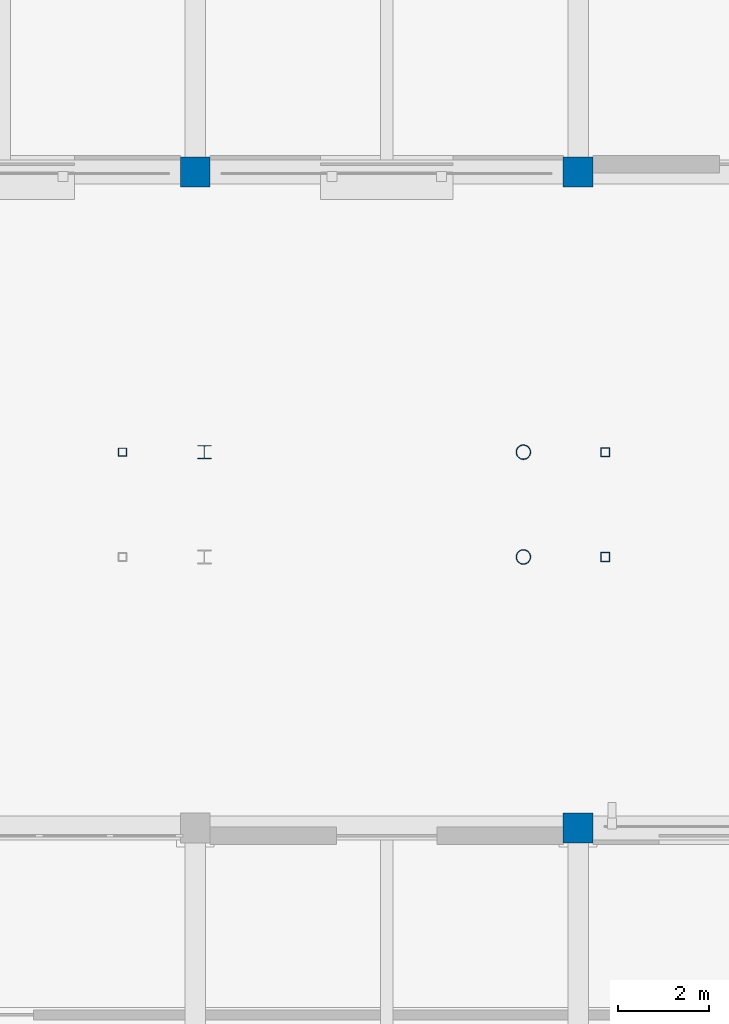
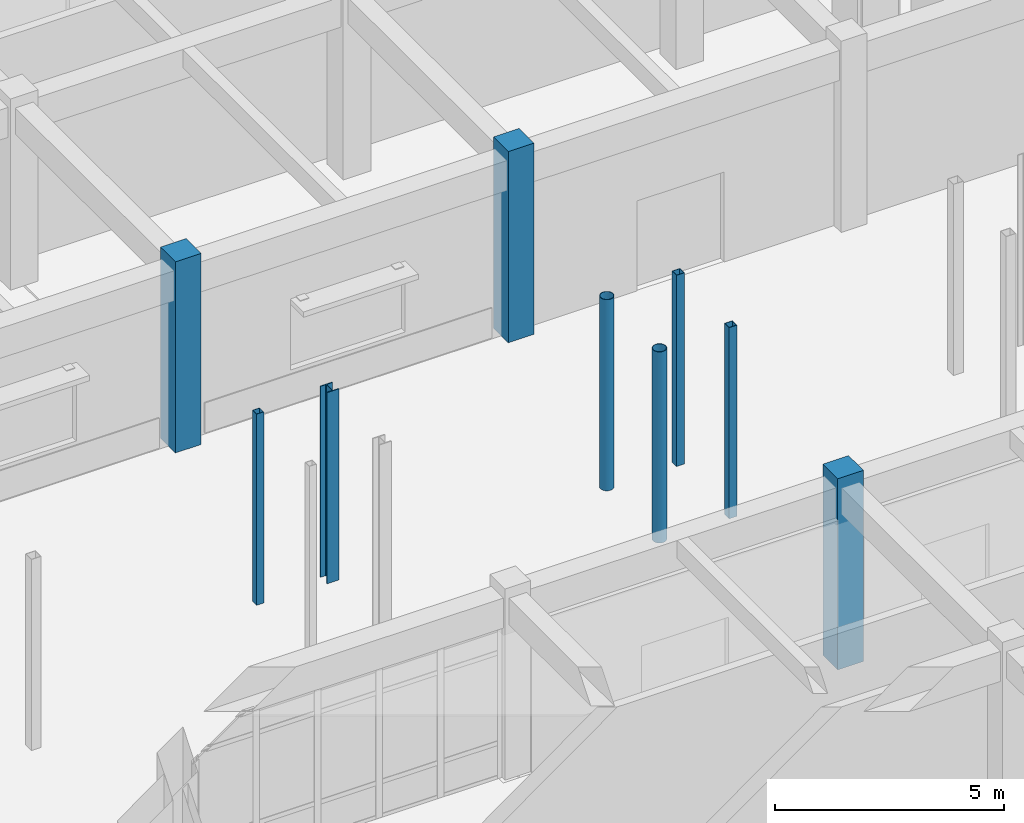
# One storey, part 13 of 121: 9 columns.
"""IFC4 building model written with IfcOpenShell, lengths in metres."""

import ifcopenshell
import ifcopenshell.guid

model = None  # the IFC model being written
_history = None  # IfcOwnerHistory: only IFC2X3 demands one
_inside = {}  # id of a spatial element -> (the spatial element, [elements in it])
_under = {}  # id of a project, library or spatial element -> (it, [spatial elements below it])
_declared = {}  # id of a project -> (the project, [libraries it declares])
_typed = {}  # id of a type object -> (the type object, [elements of that type])
_made_of = {}  # id of a material, layer set ... -> (it, [elements and type objects made of it])


def new_model(schema):
    """Start an empty IFC model of exactly this schema.

    Asked for "IFC4X3", IfcOpenShell would pick the latest addendum, in which some entities
    have other attributes; the version numbers below select the first issue.
    IFC2X3 requires an IfcOwnerHistory on every rooted entity: one is made here for all.
    """
    global model, _history
    if schema == "IFC4X3":
        model = ifcopenshell.file(schema_version=(4, 3, 0, 0))
    else:
        model = ifcopenshell.file(schema=schema)
    _inside.clear()
    _under.clear()
    _declared.clear()
    _typed.clear()
    _made_of.clear()
    _history = None
    if model.schema == "IFC2X3":
        org = make("IfcOrganization", Name="unknown")
        user = make(
            "IfcPersonAndOrganization",
            ThePerson=make("IfcPerson", FamilyName="unknown"),
            TheOrganization=org,
        )
        app = make(
            "IfcApplication",
            ApplicationDeveloper=org,
            Version="unknown",
            ApplicationFullName="unknown",
            ApplicationIdentifier="unknown",
        )
        _history = make(
            "IfcOwnerHistory",
            OwningUser=user,
            OwningApplication=app,
            ChangeAction="ADDED",
            CreationDate=0,
        )
    return model


def make(cls, **values):
    """One entity of the class cls with the attributes given. An attribute that is None is left unset."""
    return model.create_entity(
        cls, **{name: value for name, value in values.items() if value is not None}
    )


def rooted(cls, **values):
    """An entity with a GlobalId (a new one), such as an element, a storey or a relation."""
    return make(cls, GlobalId=ifcopenshell.guid.new(), OwnerHistory=_history, **values)


def si_unit(unit_type, name, prefix=None):
    """IfcSIUnit, for example si_unit("LENGTHUNIT", "METRE", prefix="MILLI")."""
    return make("IfcSIUnit", UnitType=unit_type, Prefix=prefix, Name=name)


def assignment(units):
    """IfcUnitAssignment: the units of a project."""
    return None if units is None else make("IfcUnitAssignment", Units=units)


def point(xyz):
    """IfcCartesianPoint."""
    return None if xyz is None else make("IfcCartesianPoint", Coordinates=xyz)


def direction(xyz):
    """IfcDirection."""
    return None if xyz is None else make("IfcDirection", DirectionRatios=xyz)


def frame(location, z_axis=None, x_axis=None):
    """IfcAxis2Placement3D, a coordinate frame: its origin and axes. An axis left out is left unset."""
    return make(
        "IfcAxis2Placement3D",
        Location=point(location),
        Axis=direction(z_axis),
        RefDirection=direction(x_axis),
    )


def frame_2d(location, x_axis=None):
    """IfcAxis2Placement2D, a coordinate frame in the plane: its origin and x axis."""
    return make(
        "IfcAxis2Placement2D", Location=point(location), RefDirection=direction(x_axis)
    )


def origin():
    """The frame at (0, 0, 0) with its axes left unset."""
    return frame((0.0, 0.0, 0.0))


def origin_2d():
    """The frame at (0, 0) in the plane with its x axis left unset."""
    return frame_2d((0.0, 0.0))


def place(relative_to, where):
    """IfcLocalPlacement: puts the frame where relative to a parent placement (None: the world)."""
    return make(
        "IfcLocalPlacement", PlacementRelTo=relative_to, RelativePlacement=where
    )


def context(
    kind, dimensions, precision=None, world=None, true_north=None, identifier=None
):
    """IfcGeometricRepresentationContext, for example the 3D "Model" context."""
    return make(
        "IfcGeometricRepresentationContext",
        ContextIdentifier=identifier,
        ContextType=kind,
        CoordinateSpaceDimension=dimensions,
        Precision=precision,
        WorldCoordinateSystem=world,
        TrueNorth=true_north,
    )


def subcontext(parent, identifier, kind, view, scale=None):
    """IfcGeometricRepresentationSubContext, for example "Body" below "Model"."""
    return make(
        "IfcGeometricRepresentationSubContext",
        ContextIdentifier=identifier,
        ContextType=kind,
        ParentContext=parent,
        TargetScale=scale,
        TargetView=view,
    )


def project(units=None, contexts=None):
    """IfcProject with its units and contexts."""
    return rooted(
        "IfcProject",
        Name="project",
        RepresentationContexts=contexts,
        UnitsInContext=assignment(units),
    )


def spatial(cls, under=None, at=None, **own):
    """A site, building, storey or space (cls), placed at a placement, below another one or the project."""
    s = rooted(cls, ObjectPlacement=at, **own)
    if under is not None:
        _under.setdefault(under.id(), (under, []))[1].append(s)
    return s


def profile(cls, at=None, kind="AREA", **sizes):
    """A parametric profile (cls). Its sizes go by their IFC names, for example OverallWidth=200.0."""
    return make(cls, ProfileType=kind, Position=at, **sizes)


def rectangle(**sizes):
    """IfcRectangleProfileDef."""
    return profile("IfcRectangleProfileDef", **sizes)


def hollow_rectangle(**sizes):
    """IfcRectangleHollowProfileDef."""
    return profile("IfcRectangleHollowProfileDef", **sizes)


def hollow_circle(**sizes):
    """IfcCircleHollowProfileDef."""
    return profile("IfcCircleHollowProfileDef", **sizes)


def i_section(**sizes):
    """IfcIShapeProfileDef."""
    return profile("IfcIShapeProfileDef", **sizes)


def extrude(swept, where, along, depth):
    """IfcExtrudedAreaSolid: the profile swept, set in the frame where, extruded along a direction by depth."""
    return make(
        "IfcExtrudedAreaSolid",
        SweptArea=swept,
        Position=where,
        ExtrudedDirection=direction(along),
        Depth=depth,
    )


def shape(context_of_items, identifier, shape_type, items):
    """IfcShapeRepresentation: the items that make up one representation, for example the "Body"."""
    return make(
        "IfcShapeRepresentation",
        ContextOfItems=context_of_items,
        RepresentationIdentifier=identifier,
        RepresentationType=shape_type,
        Items=items,
    )


def material(Name=None, Category=None):
    """IfcMaterial."""
    return make("IfcMaterial", Name=Name, Category=Category)


def material_profile(
    of_material, cross_section, Name=None, Category=None, Priority=None
):
    """IfcMaterialProfile: a cross section and its material."""
    return make(
        "IfcMaterialProfile",
        Name=Name,
        Material=of_material,
        Profile=cross_section,
        Priority=Priority,
        Category=Category,
    )


def profile_set(profiles, Name=None, composite=None):
    """IfcMaterialProfileSet."""
    return make(
        "IfcMaterialProfileSet",
        Name=Name,
        MaterialProfiles=profiles,
        CompositeProfile=composite,
    )


def made_of(thing, what):
    """Note that an element or type object is made of a material, layer set ...; save() writes the relation."""
    if what is not None:
        _made_of.setdefault(what.id(), (what, []))[1].append(thing)
    return thing


def type_object(cls, material=None, **own):
    """A type object (cls), such as IfcWallType, which elements share."""
    return made_of(rooted(cls, **own), material)


def element(
    cls,
    number,
    at=None,
    inside=None,
    cuts=None,
    type_object=None,
    material=None,
    context=None,
    identifier="Body",
    shape_type=None,
    held_by="IfcProductDefinitionShape",
    body=None,
    shapes=None,
    **own,
):
    """One element of the class cls, such as IfcWall. Its Tag is "e" and its number.

    at: its placement. inside: the storey or other place that contains it. cuts: it is an
    opening in that element (IfcRelVoidsElement). A single representation is given by context,
    identifier, shape_type and body (its items); several are given by shapes. held_by: the class
    of the entity that holds the representations. save() writes the other relations.
    """
    e = rooted(cls, Tag="e%d" % number, ObjectPlacement=at, **own)
    if body is not None:
        shapes = [shape(context, identifier, shape_type, body)]
    if shapes is not None:
        e.Representation = make(held_by, Representations=shapes)
    if inside is not None:
        _inside.setdefault(inside.id(), (inside, []))[1].append(e)
    if cuts is not None:
        rooted(
            "IfcRelVoidsElement", RelatingBuildingElement=cuts, RelatedOpeningElement=e
        )
    if type_object is not None:
        _typed.setdefault(type_object.id(), (type_object, []))[1].append(e)
    return made_of(e, material)


def aggregate(whole, parts):
    """IfcRelAggregates: a whole, such as a stair, and the parts it consists of."""
    return rooted("IfcRelAggregates", RelatingObject=whole, RelatedObjects=parts)


def save(model, path):
    """Write the relations noted so far, then the file.

    IfcRelAggregates (storeys below a building ...), IfcRelContainedInSpatialStructure (elements
    in a storey), IfcRelDefinesByType, IfcRelAssociatesMaterial and IfcRelDeclares: one each for
    every whole, place, type object, material and project.
    """
    for whole, parts in _under.values():
        aggregate(whole, parts)
    for where, things in _inside.values():
        rooted(
            "IfcRelContainedInSpatialStructure",
            RelatedElements=things,
            RelatingStructure=where,
        )
    for kind, things in _typed.values():
        rooted("IfcRelDefinesByType", RelatedObjects=things, RelatingType=kind)
    for what, things in _made_of.values():
        rooted("IfcRelAssociatesMaterial", RelatedObjects=things, RelatingMaterial=what)
    for by, libraries in _declared.values():
        rooted("IfcRelDeclares", RelatingContext=by, RelatedDefinitions=libraries)
    model.write(path)


model = new_model("IFC4")

# Units and contexts
model_context = context("Model", 3, precision=1e-05, world=origin(), true_north=direction((0.0, 1.0)))
body_context = subcontext(model_context, "Body", "Model", "MODEL_VIEW")
ifc_project = project(units=[si_unit("LENGTHUNIT", "METRE"), si_unit("AREAUNIT", "SQUARE_METRE"), si_unit("VOLUMEUNIT", "CUBIC_METRE"), si_unit("PLANEANGLEUNIT", "RADIAN"), si_unit("MASSUNIT", "GRAM", prefix="KILO")], contexts=[model_context])

# Site, building, storey
site_placement = place(None, origin())
site = spatial("IfcSite", under=ifc_project, at=site_placement, CompositionType="ELEMENT")
building_placement = place(site_placement, origin())
building = spatial("IfcBuilding", under=site, at=building_placement, Name="Malvenik Polytechnic", CompositionType="ELEMENT")
storey_placement = place(building_placement, origin())
storey = spatial("IfcBuildingStorey", under=building, at=storey_placement, Name="L00", CompositionType="ELEMENT", Elevation=0.0)

# Columns
ifc_material_1 = material(Name="Concrete C35/45", Category="concrete")
ifc_material_profile_1 = material_profile(ifc_material_1, rectangle(XDim=0.64990234375, YDim=0.64990234375, at=origin_2d()), Name="RC COL 650x650")
ifc_profile_set_1 = profile_set([ifc_material_profile_1], Name="Concrete C35/45")
column_type_1 = type_object("IfcColumnType", Name="STR-COL-C-05", PredefinedType="COLUMN", material=ifc_profile_set_1)
for number, where, z_axis, x_axis, name in (
    (1, (50.39990234375, 79.199951171875, 0.0), (0.0, 0.0, 1.0), (1.0, 0.0, 0.0), "Column C-05 L00 (50.4,79.2)"),
    (2, (58.800048828125, 64.800048828125, 0.0), (0.0, 0.0, 1.0), (1.0, 0.0, 0.0), "Column C-05 L00 (58.8,64.8)"),
    (3, (58.800048828125, 79.199951171875, 0.0), (0.0, 0.0, 1.0), (1.0, 0.0, 0.0), "Column C-05 L00 (58.8,79.2)"),
):
    element("IfcColumn", number, at=place(storey_placement, frame(where, z_axis=z_axis, x_axis=x_axis)), inside=storey, type_object=column_type_1, Name=name, PredefinedType="COLUMN", context=body_context, shape_type="SweptSolid", body=[
        extrude(rectangle(XDim=0.64990234375, YDim=0.64990234375, at=origin_2d()), origin(), (0.0, 0.0, 1.0), 5.10009765625),
    ])
ifc_material_2 = material(Name="Steel S355J2H", Category="steel")
ifc_material_profile_2 = material_profile(ifc_material_2, hollow_rectangle(XDim=0.199951171875, YDim=0.199951171875, WallThickness=0.010009765625, at=origin_2d()), Name="SHS 200x200x10.0")
ifc_profile_set_2 = profile_set([ifc_material_profile_2], Name="Steel S355J2H")
column_type_2 = type_object("IfcColumnType", Name="STR-SCOL-SC-02", PredefinedType="COLUMN", material=ifc_profile_set_2)
for number, where, z_axis, x_axis, name in (
    (4, (59.39990234375, 70.75, 0.0), (0.0, 0.0, 1.0), (1.0, 0.0, 0.0), "Bridge-Ramp Support Column SC-02 L00"),
    (5, (59.39990234375, 73.050048828125, 0.0), (0.0, 0.0, 1.0), (1.0, 0.0, 0.0), "Bridge-Ramp Support Column SC-02 L00"),
):
    element("IfcColumn", number, at=place(storey_placement, frame(where, z_axis=z_axis, x_axis=x_axis)), inside=storey, type_object=column_type_2, Name=name, PredefinedType="COLUMN", context=body_context, shape_type="SweptSolid", body=[
        extrude(hollow_rectangle(XDim=0.199951171875, YDim=0.199951171875, WallThickness=0.010009765625, at=origin_2d()), origin(), (0.0, 0.0, 1.0), 5.10009765625),
    ])
ifc_material_profile_3 = material_profile(ifc_material_2, hollow_circle(Radius=0.161865234375, WallThickness=0.012451171875, at=origin_2d()), Name="CHS 323.9x12.5")
ifc_profile_set_3 = profile_set([ifc_material_profile_3], Name="Steel S355J2H")
column_type_3 = type_object("IfcColumnType", Name="STR-SCOL-SC-04", PredefinedType="COLUMN", material=ifc_profile_set_3)
for number, where, z_axis, x_axis, name in (
    (6, (57.60009765625, 70.75, 0.0), (0.0, 0.0, 1.0), (1.0, 0.0, 0.0), "Bridge-Ramp Support Column SC-04 L00"),
    (7, (57.60009765625, 73.050048828125, 0.0), (0.0, 0.0, 1.0), (1.0, 0.0, 0.0), "Bridge-Ramp Support Column SC-04 L00"),
):
    element("IfcColumn", number, at=place(storey_placement, frame(where, z_axis=z_axis, x_axis=x_axis)), inside=storey, type_object=column_type_3, Name=name, PredefinedType="COLUMN", context=body_context, shape_type="SweptSolid", body=[
        extrude(hollow_circle(Radius=0.161865234375, WallThickness=0.012451171875, at=origin_2d()), origin(), (0.0, 0.0, 1.0), 5.10009765625),
    ])
ifc_material_3 = material(Name="Steel S355", Category="steel")
ifc_material_profile_4 = material_profile(ifc_material_3, i_section(OverallWidth=0.300048828125, OverallDepth=0.300048828125, WebThickness=0.010986328125, FlangeThickness=0.01904296875, FilletRadius=0.027099609375, at=origin_2d()), Name="HEB 300")
ifc_profile_set_4 = profile_set([ifc_material_profile_4], Name="Steel S355")
column_type_4 = type_object("IfcColumnType", Name="STR-SCOL-SC-05", PredefinedType="COLUMN", material=ifc_profile_set_4)
column_1_placement = place(storey_placement, frame((50.60009765625, 73.050048828125, 0.0), z_axis=(0.0, 0.0, 1.0), x_axis=(1.0, 0.0, 0.0)))
element("IfcColumn", 8, at=column_1_placement, inside=storey, type_object=column_type_4, Name="Bridge-Ramp Support Column SC-05 L00", PredefinedType="COLUMN", context=body_context, shape_type="SweptSolid", body=[
    extrude(i_section(OverallWidth=0.300048828125, OverallDepth=0.300048828125, WebThickness=0.010986328125, FlangeThickness=0.01904296875, FilletRadius=0.027099609375, at=origin_2d()), origin(), (0.0, 0.0, 1.0), 5.10009765625),
])
ifc_material_profile_5 = material_profile(ifc_material_2, hollow_rectangle(XDim=0.179931640625, YDim=0.179931640625, WallThickness=0.008056640625, at=origin_2d()), Name="SHS 180x180x8.0")
ifc_profile_set_5 = profile_set([ifc_material_profile_5], Name="Steel S355J2H")
column_type_5 = type_object("IfcColumnType", Name="STR-SCOL-SC-06", PredefinedType="COLUMN", material=ifc_profile_set_5)
column_2_placement = place(storey_placement, frame((48.800048828125, 73.050048828125, 0.0), z_axis=(0.0, 0.0, 1.0), x_axis=(1.0, 0.0, 0.0)))
element("IfcColumn", 9, at=column_2_placement, inside=storey, type_object=column_type_5, Name="Bridge-Ramp Support Column SC-06 L00", PredefinedType="COLUMN", context=body_context, shape_type="SweptSolid", body=[
    extrude(hollow_rectangle(XDim=0.179931640625, YDim=0.179931640625, WallThickness=0.008056640625, at=origin_2d()), origin(), (0.0, 0.0, 1.0), 5.10009765625),
])

save(model, "model.ifc")
